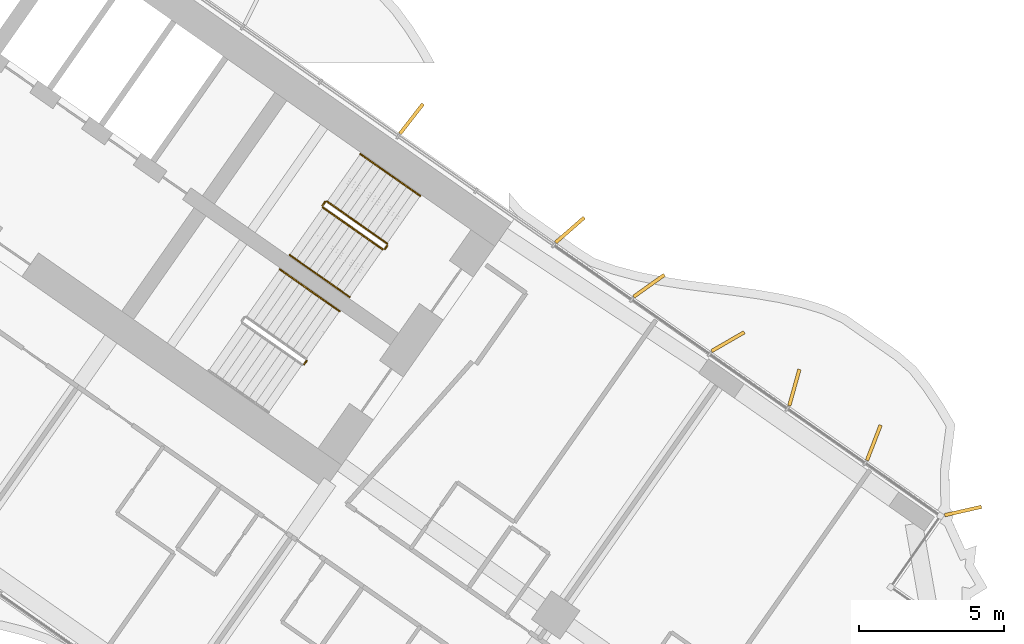
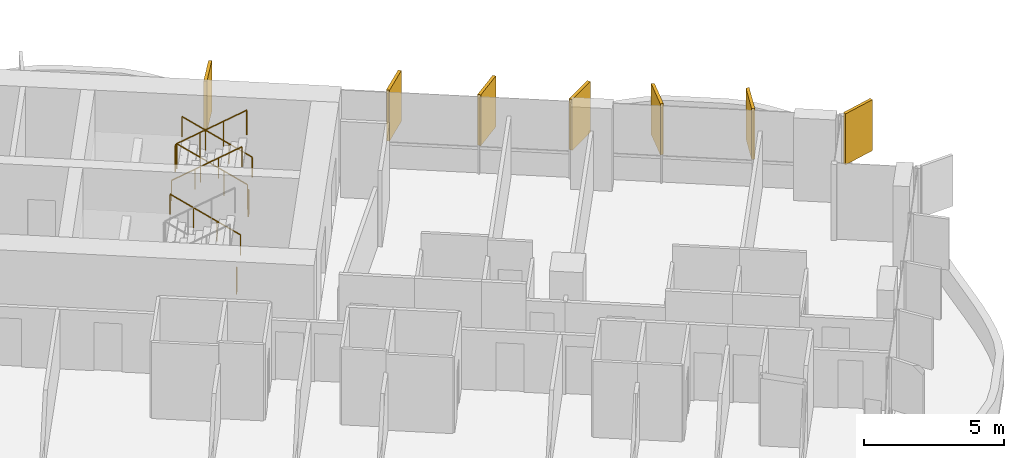
# One storey, part 25 of 25: 8 railings, 7 shading devices.
"""IFC4 building model written with IfcOpenShell, lengths in metres."""

from ifc_helpers import new_model, si_unit, direction, frame, origin, origin_2d, place, context, subcontext, project, spatial, rectangle, circle, extrude, material, layer, layer_set, type_object, element, save


model = new_model("IFC4")

# Units and contexts
model_context = context("Model", 3, precision=1e-05, world=origin(), true_north=direction((0.0, 1.0)))
body_context = subcontext(model_context, "Body", "Model", "MODEL_VIEW")
ifc_project = project(units=[si_unit("LENGTHUNIT", "METRE"), si_unit("AREAUNIT", "SQUARE_METRE"), si_unit("VOLUMEUNIT", "CUBIC_METRE"), si_unit("PLANEANGLEUNIT", "RADIAN"), si_unit("MASSUNIT", "GRAM", prefix="KILO")], contexts=[model_context])

# Site, building, storey
site_placement = place(None, origin())
site = spatial("IfcSite", under=ifc_project, at=site_placement, CompositionType="ELEMENT")
building_placement = place(site_placement, origin())
building = spatial("IfcBuilding", under=site, at=building_placement, Name="Tel Ilan Convention Tower", CompositionType="ELEMENT")
storey_placement = place(building_placement, frame((0.0, 0.0, 58.10009765625)))
storey = spatial("IfcBuildingStorey", under=building, at=storey_placement, Name="L09", CompositionType="ELEMENT", Elevation=58.10009765625)

# Shading devices
ifc_material_1 = material(Name="Aluminium, bronze anodised", Category="aluminium")
ifc_layer = layer(ifc_material_1, 0.1201171875)
ifc_layer_set = layer_set([ifc_layer], Name="FIN BRONZE 1300x120")
shading_device_type = type_object("IfcShadingDeviceType", Name="FIN BRONZE 1300x120", PredefinedType="USERDEFINED", material=ifc_layer_set)
for number, where, z_axis, x_axis, name in (
    (1, (29.980712890625, -7.38720703125, 1.10009765625), (0.0, 0.0, 1.0), (0.753435896329, 0.657521368568, 0.0), "FIN"),
    (2, (24.52197265625, -3.556884765625, 1.10009765625), (0.0, 0.0, 1.0), (0.612600545196, 0.790392669516, 0.0), "FIN"),
    (3, (43.520751953125, -17.065673828125, 1.10009765625), (0.0, 0.0, 1.0), (0.975235208752, 0.221170268371, 0.0), "FIN"),
    (4, (40.4462890625, -14.71533203125, 1.10009765625), (0.0, 0.0, 1.0), (0.360177724803, 0.932883704733, 0.0), "FIN"),
    (5, (37.709228515625, -12.814208984375, 1.10009765625), (0.0, 0.0, 1.0), (0.268172612768, 0.963370878614, 0.0), "FIN"),
    (6, (35.420654296875, -11.234130859375, 1.10009765625), (0.0, 0.0, 1.0), (0.866025403784, 0.5, 0.0), "FIN"),
    (7, (32.703369140625, -9.308837890625, 1.10009765625), (0.0, 0.0, 1.0), (0.813552070258, 0.581492071294, 0.0), "FIN"),
):
    element("IfcShadingDevice", number, at=place(storey_placement, frame(where, z_axis=z_axis, x_axis=x_axis)), inside=storey, type_object=shading_device_type, Name=name, ObjectType="FIN", PredefinedType="USERDEFINED", context=body_context, shape_type="SweptSolid", body=[
        extrude(rectangle(XDim=1.300048828125, YDim=0.1201171875, at=origin_2d()), origin(), (0.0, 0.0, 1.0), 2.219970703125),
    ])

# Railings
ifc_material_2 = material(Name="Stainless Steel Grade 316", Category="steel")
railing_type_1 = type_object("IfcRailingType", Name="Stainless Steel Stair Guard 1100 mm", PredefinedType="GUARDRAIL", material=ifc_material_2)
railing_1_placement = place(storey_placement, frame((23.6787109375, -7.8515625, 0.179931640625)))
element("IfcRailing", 8, at=railing_1_placement, inside=storey, type_object=railing_type_1, Name="L09 S3 stair guard 1", PredefinedType="GUARDRAIL", context=body_context, shape_type="SweptSolid", body=[
    extrude(circle(Radius=0.02392578125, at=origin_2d()), frame((0.0, 0.0, 1.076171875), z_axis=(-0.689043377453, 0.48253410265, 0.540721798865), x_axis=(-0.573624882958, -0.819118119475, 0.0)), (0.0, 0.0, 1.0), 2.995849609375),
    extrude(circle(Radius=0.02099609375, at=origin_2d()), origin(), (0.0, 0.0, 1.0), 1.052001953125),
    extrude(circle(Radius=0.02099609375, at=origin_2d()), frame((-0.68798828125, 0.48193359375, 0.5400390625)), (0.0, 0.0, 1.0), 1.052001953125),
    extrude(circle(Radius=0.02099609375, at=origin_2d()), frame((-1.376220703125, 0.963623046875, 1.079833984375)), (0.0, 0.0, 1.0), 1.052001953125),
    extrude(circle(Radius=0.02099609375, at=origin_2d()), frame((-2.064208984375, 1.445556640625, 1.619873046875)), (0.0, 0.0, 1.0), 1.052001953125),
])
railing_2_placement = place(storey_placement, frame((21.544921875, -6.41845703125, 1.7998046875)))
element("IfcRailing", 9, at=railing_2_placement, inside=storey, type_object=railing_type_1, Name="L09 S3 stair guard 2", PredefinedType="GUARDRAIL", context=body_context, shape_type="SweptSolid", body=[
    extrude(circle(Radius=0.02392578125, at=origin_2d()), frame((0.0, 0.0, 1.076171875), z_axis=(-0.573353020881, -0.819308436089, 0.0), x_axis=(0.819308436089, -0.573353020881, 0.0)), (0.0, 0.0, 1.0), 0.14990234375),
    extrude(circle(Radius=0.02099609375, at=origin_2d()), origin(), (0.0, 0.0, 1.0), 1.052001953125),
    extrude(circle(Radius=0.02099609375, at=origin_2d()), frame((-0.0859375, -0.122802734375, 0.0)), (0.0, 0.0, 1.0), 1.052001953125),
])
railing_3_placement = place(storey_placement, frame((21.47119140625, -6.61083984375, 1.97998046875)))
element("IfcRailing", 10, at=railing_3_placement, inside=storey, type_object=railing_type_1, Name="L09 S3 stair guard 3", PredefinedType="GUARDRAIL", context=body_context, shape_type="SweptSolid", body=[
    extrude(circle(Radius=0.02392578125, at=origin_2d()), frame((0.0, 0.0, 1.076171875), z_axis=(0.689043377453, -0.48253410265, 0.540721798865), x_axis=(0.573624882958, 0.819118119475, 0.0)), (0.0, 0.0, 1.0), 2.995849609375),
    extrude(circle(Radius=0.02099609375, at=origin_2d()), origin(), (0.0, 0.0, 1.0), 1.052001953125),
    extrude(circle(Radius=0.02099609375, at=origin_2d()), frame((0.68798828125, -0.48193359375, 0.5400390625)), (0.0, 0.0, 1.0), 1.052001953125),
    extrude(circle(Radius=0.02099609375, at=origin_2d()), frame((1.376220703125, -0.963623046875, 1.079833984375)), (0.0, 0.0, 1.0), 1.052001953125),
    extrude(circle(Radius=0.02099609375, at=origin_2d()), frame((2.064208984375, -1.445556640625, 1.619873046875)), (0.0, 0.0, 1.0), 1.052001953125),
])
railing_4_placement = place(storey_placement, frame((23.691162109375, -7.921142578125, 0.0)))
element("IfcRailing", 11, at=railing_4_placement, inside=storey, type_object=railing_type_1, Name="L09 S3 stair guard 4", PredefinedType="GUARDRAIL", context=body_context, shape_type="SweptSolid", body=[
    extrude(circle(Radius=0.02392578125, at=origin_2d()), frame((0.0, 0.0, 1.076171875), z_axis=(-0.574444878118, -0.818543268254, 0.0), x_axis=(0.818543268254, -0.574444878118, 0.0)), (0.0, 0.0, 1.0), 0.150146484375),
    extrude(circle(Radius=0.02099609375, at=origin_2d()), origin(), (0.0, 0.0, 1.0), 1.052001953125),
    extrude(circle(Radius=0.02099609375, at=origin_2d()), frame((-0.086181640625, -0.122802734375, 0.0)), (0.0, 0.0, 1.0), 1.052001953125),
])
railing_5_placement = place(storey_placement, frame((20.9091796875, -11.89404296875, 0.0)))
element("IfcRailing", 12, at=railing_5_placement, inside=storey, type_object=railing_type_1, Name="L09 S4 stair guard 4", PredefinedType="GUARDRAIL", context=body_context, shape_type="SweptSolid", body=[
    extrude(circle(Radius=0.02392578125, at=origin_2d()), frame((0.0, 0.0, 1.076171875), z_axis=(-0.573353020881, -0.819308436089, 0.0), x_axis=(0.819308436089, -0.573353020881, 0.0)), (0.0, 0.0, 1.0), 0.14990234375),
    extrude(circle(Radius=0.02099609375, at=origin_2d()), origin(), (0.0, 0.0, 1.0), 1.052001953125),
    extrude(circle(Radius=0.02099609375, at=origin_2d()), frame((-0.0859375, -0.122802734375, 0.0)), (0.0, 0.0, 1.0), 1.052001953125),
])
ifc_material_3 = material(Name="Stainless Steel Grade 316", Category="steel")
railing_type_2 = type_object("IfcRailingType", Name="Stainless Steel Stair Handrail 900 mm", PredefinedType="HANDRAIL", material=ifc_material_3)
railing_6_placement = place(storey_placement, frame((24.825927734375, -6.213134765625, 0.179931640625)))
element("IfcRailing", 13, at=railing_6_placement, inside=storey, type_object=railing_type_2, Name="L09 S3 stair handrail 1", PredefinedType="HANDRAIL", context=body_context, shape_type="SweptSolid", body=[
    extrude(circle(Radius=0.02392578125, at=origin_2d()), frame((0.0, 0.0, 0.8759765625), z_axis=(-0.68907047291, 0.482471578903, 0.540743061828), x_axis=(-0.573559875649, -0.819163639968, 0.0)), (0.0, 0.0, 1.0), 2.99560546875),
    extrude(circle(Radius=0.02099609375, at=origin_2d()), origin(), (0.0, 0.0, 1.0), 0.851806640625),
    extrude(circle(Radius=0.02099609375, at=origin_2d()), frame((-0.68798828125, 0.481689453125, 0.5400390625)), (0.0, 0.0, 1.0), 0.851806640625),
    extrude(circle(Radius=0.02099609375, at=origin_2d()), frame((-1.376220703125, 0.963623046875, 1.079833984375)), (0.0, 0.0, 1.0), 0.851806640625),
    extrude(circle(Radius=0.02099609375, at=origin_2d()), frame((-2.064208984375, 1.4453125, 1.619873046875)), (0.0, 0.0, 1.0), 0.851806640625),
])
railing_7_placement = place(storey_placement, frame((20.323974609375, -8.249267578125, 1.97998046875)))
element("IfcRailing", 14, at=railing_7_placement, inside=storey, type_object=railing_type_2, Name="L09 S3 stair handrail 2", PredefinedType="HANDRAIL", context=body_context, shape_type="SweptSolid", body=[
    extrude(circle(Radius=0.02392578125, at=origin_2d()), frame((0.0, 0.0, 0.8759765625), z_axis=(0.68907047291, -0.482471578903, 0.540743061828), x_axis=(0.573559875649, 0.819163639968, 0.0)), (0.0, 0.0, 1.0), 2.99560546875),
    extrude(circle(Radius=0.02099609375, at=origin_2d()), origin(), (0.0, 0.0, 1.0), 0.851806640625),
    extrude(circle(Radius=0.02099609375, at=origin_2d()), frame((0.68798828125, -0.481689453125, 0.5400390625)), (0.0, 0.0, 1.0), 0.851806640625),
    extrude(circle(Radius=0.02099609375, at=origin_2d()), frame((1.376220703125, -0.963623046875, 1.079833984375)), (0.0, 0.0, 1.0), 0.851806640625),
    extrude(circle(Radius=0.02099609375, at=origin_2d()), frame((2.064208984375, -1.4453125, 1.619873046875)), (0.0, 0.0, 1.0), 0.851806640625),
])
railing_8_placement = place(storey_placement, frame((22.044189453125, -10.18603515625, 0.179931640625)))
element("IfcRailing", 15, at=railing_8_placement, inside=storey, type_object=railing_type_2, Name="L09 S4 stair handrail 1", PredefinedType="HANDRAIL", context=body_context, shape_type="SweptSolid", body=[
    extrude(circle(Radius=0.02392578125, at=origin_2d()), frame((0.0, 0.0, 0.8759765625), z_axis=(-0.689113270881, 0.482444484817, 0.540712695399), x_axis=(-0.573514357932, -0.81919550856, 0.0)), (0.0, 0.0, 1.0), 2.995849609375),
    extrude(circle(Radius=0.02099609375, at=origin_2d()), origin(), (0.0, 0.0, 1.0), 0.851806640625),
    extrude(circle(Radius=0.02099609375, at=origin_2d()), frame((-0.688232421875, 0.481689453125, 0.5400390625)), (0.0, 0.0, 1.0), 0.851806640625),
    extrude(circle(Radius=0.02099609375, at=origin_2d()), frame((-1.376220703125, 0.963623046875, 1.079833984375)), (0.0, 0.0, 1.0), 0.851806640625),
    extrude(circle(Radius=0.02099609375, at=origin_2d()), frame((-2.064453125, 1.4453125, 1.619873046875)), (0.0, 0.0, 1.0), 0.851806640625),
])

save(model, "model.ifc")
